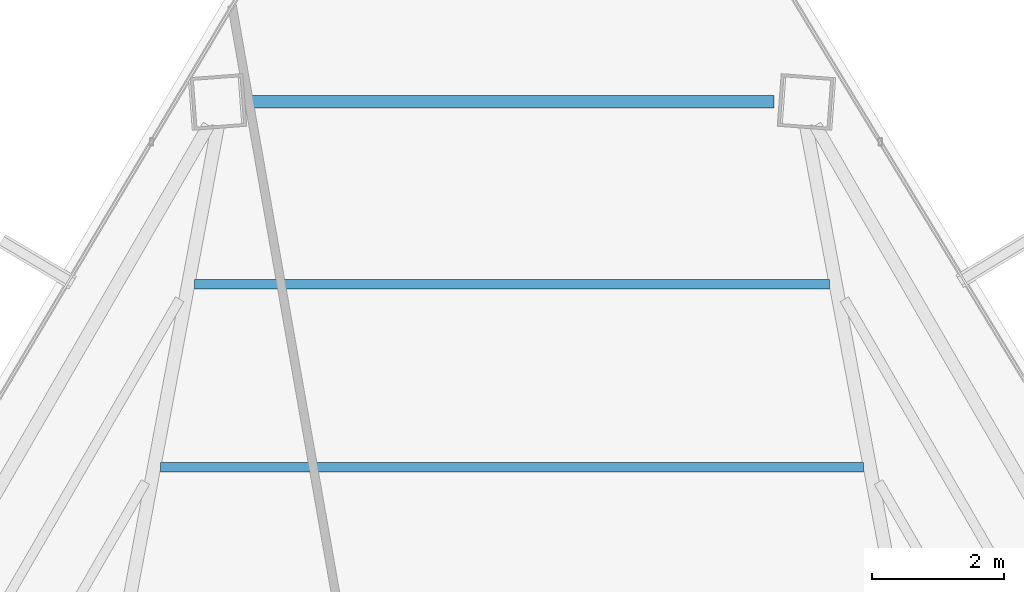
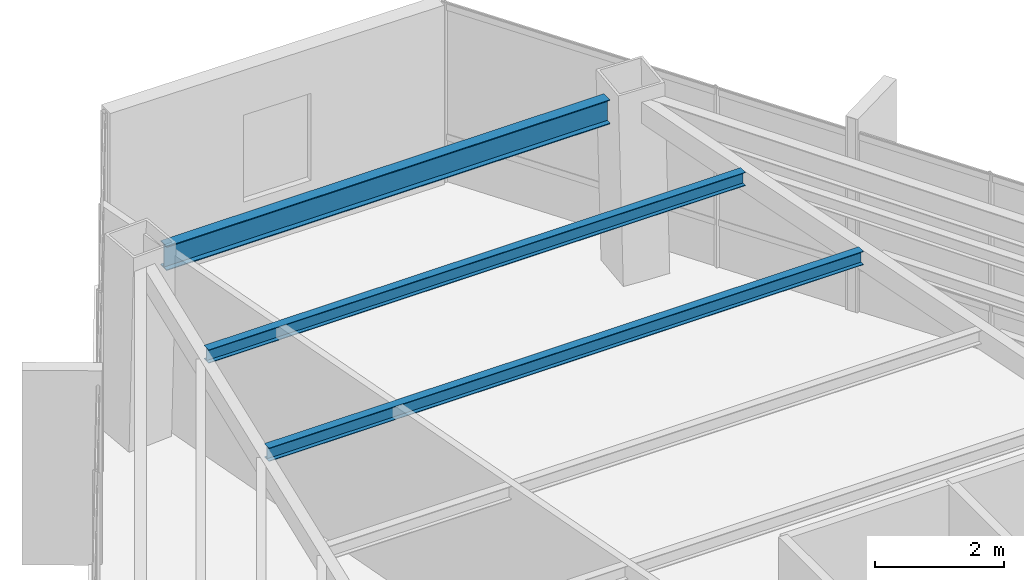
# One storey, part 35 of 47: 3 beams.
"""IFC4 building model written with IfcOpenShell, lengths in metres."""

from ifc_helpers import new_model, si_unit, direction, frame, origin, origin_2d, place, context, subcontext, project, spatial, i_section, extrude, source, transform, mapped, material, material_profile, profile_set, type_object, type_shapes, element, save


model = new_model("IFC4")

# Units and contexts
model_context = context("Model", 3, precision=1e-05, world=origin(), true_north=direction((0.0, 1.0)))
body_context = subcontext(model_context, "Body", "Model", "MODEL_VIEW")
ifc_project = project(units=[si_unit("LENGTHUNIT", "METRE"), si_unit("AREAUNIT", "SQUARE_METRE"), si_unit("VOLUMEUNIT", "CUBIC_METRE"), si_unit("PLANEANGLEUNIT", "RADIAN"), si_unit("MASSUNIT", "GRAM", prefix="KILO")], contexts=[model_context])

# Site, building, storey
site_placement = place(None, origin())
site = spatial("IfcSite", under=ifc_project, at=site_placement, CompositionType="ELEMENT")
building_placement = place(site_placement, origin())
building = spatial("IfcBuilding", under=site, at=building_placement, Name="Caelisora Broadcast Tower", CompositionType="ELEMENT")
storey_placement = place(building_placement, frame((0.0, 0.0, 229.85009765625)))
storey = spatial("IfcBuildingStorey", under=building, at=storey_placement, Name="L60", CompositionType="ELEMENT", Elevation=229.85009765625)

# Beams
ifc_material = material(Name="Steel Grade 350 (AS/NZS 3679.1)", Category="steel")
ifc_material_profile_1 = material_profile(ifc_material, i_section(OverallWidth=0.19091796875, OverallDepth=0.46044921875, WebThickness=0.010009765625, FlangeThickness=0.01611328125, at=origin_2d()), Name="Steel Grade 350 (AS/NZS 3679.1)")
ifc_profile_set_1 = profile_set([ifc_material_profile_1], Name="Steel Grade 350 (AS/NZS 3679.1)")
beam_type_1 = type_object("IfcBeamType", Name="PG06", PredefinedType="BEAM", material=ifc_profile_set_1)
shared_shape_1 = source(origin(), body_context, "Body", "SweptSolid", [
    extrude(i_section(OverallWidth=0.19091796875, OverallDepth=0.46044921875, WebThickness=0.010009765625, FlangeThickness=0.01611328125, at=origin_2d()), origin(), (0.0, 0.0, 1.0), 7.9541015625),
])
type_shapes(beam_type_1, [shared_shape_1])
beam_1_placement = place(storey_placement, frame((41.97705078125, 46.634521484375, 3.169677734375), z_axis=(-1.0, 0.0, 0.0), x_axis=(0.0, -1.0, 0.0)))
element("IfcBeam", 1, at=beam_1_placement, inside=storey, type_object=beam_type_1, Name="L60 beam PG06", PredefinedType="BEAM", context=body_context, shape_type="MappedRepresentation", body=[
    mapped(shared_shape_1, transform((0.0, 0.0, 0.0), scale=1.0)),
])
ifc_material_profile_2 = material_profile(ifc_material, i_section(OverallWidth=0.14599609375, OverallDepth=0.256103515625, WebThickness=0.00634765625, FlangeThickness=0.010986328125, at=origin_2d()), Name="Steel Grade 350 (AS/NZS 3679.1)")
ifc_profile_set_2 = profile_set([ifc_material_profile_2], Name="Steel Grade 350 (AS/NZS 3679.1)")
beam_type_2 = type_object("IfcBeamType", Name="SB04", PredefinedType="JOIST", material=ifc_profile_set_2)
shared_shape_2 = source(origin(), body_context, "Body", "SweptSolid", [
    extrude(i_section(OverallWidth=0.14599609375, OverallDepth=0.256103515625, WebThickness=0.00634765625, FlangeThickness=0.010986328125, at=origin_2d()), origin(), (0.0, 0.0, 1.0), 10.66015625),
])
beam_2_placement = place(storey_placement, frame((43.330078125, 41.089599609375, 3.271728515625), z_axis=(-1.0, 0.0, 0.0), x_axis=(0.0, -1.0, 0.0)))
element("IfcBeam", 2, at=beam_2_placement, inside=storey, type_object=beam_type_2, Name="L60 beam SB04", PredefinedType="JOIST", context=body_context, shape_type="MappedRepresentation", body=[
    mapped(shared_shape_2, transform((0.0, 0.0, 0.0), scale=1.0)),
])
shared_shape_3 = source(origin(), body_context, "Body", "SweptSolid", [
    extrude(i_section(OverallWidth=0.14599609375, OverallDepth=0.256103515625, WebThickness=0.00634765625, FlangeThickness=0.010986328125, at=origin_2d()), origin(), (0.0, 0.0, 1.0), 9.6240234375),
])
type_shapes(beam_type_2, [shared_shape_2, shared_shape_3])
beam_3_placement = place(storey_placement, frame((42.81201171875, 43.862060546875, 3.271728515625), z_axis=(-1.0, 0.0, 0.0), x_axis=(0.0, -1.0, 0.0)))
element("IfcBeam", 3, at=beam_3_placement, inside=storey, type_object=beam_type_2, Name="L60 beam SB04", PredefinedType="JOIST", context=body_context, shape_type="MappedRepresentation", body=[
    mapped(shared_shape_3, transform((0.0, 0.0, 0.0), scale=1.0)),
])

save(model, "model.ifc")
